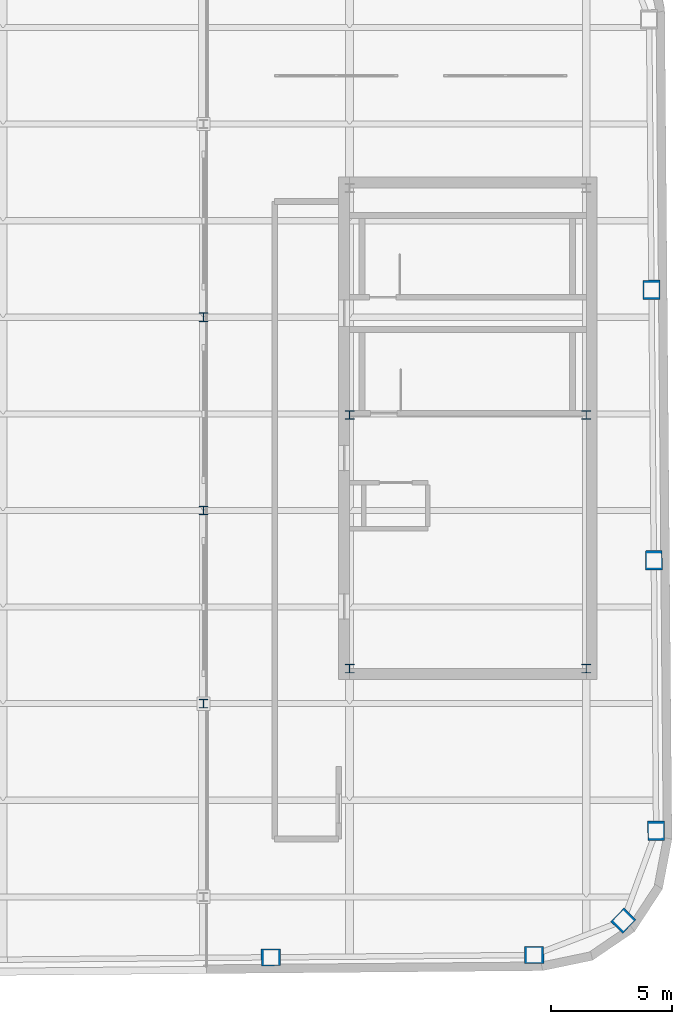
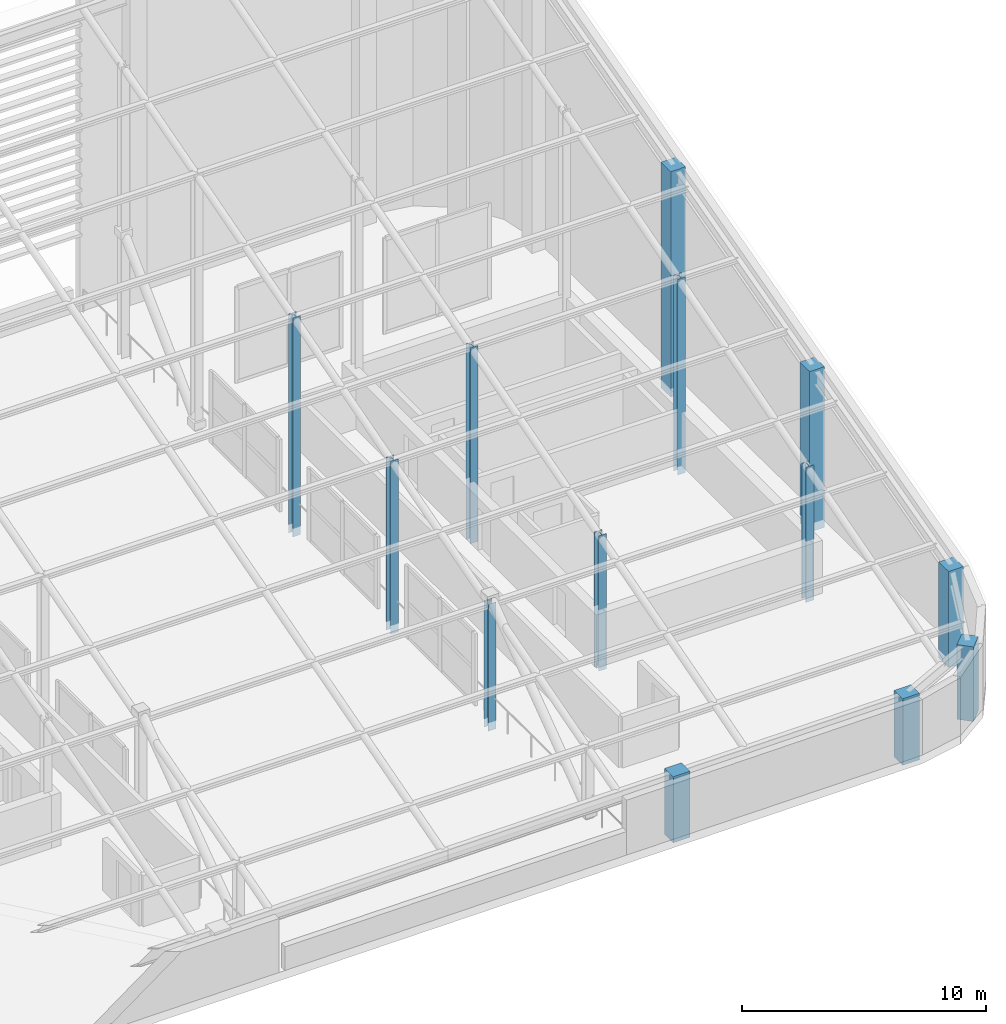
# One storey, part 2 of 17: 13 columns.
"""IFC4 building model written with IfcOpenShell, lengths in metres."""

from ifc_helpers import new_model, si_unit, direction, frame, origin, origin_2d, place, context, subcontext, project, spatial, rectangle, i_section, extrude, material, material_profile, profile_set, type_object, element, save


model = new_model("IFC4")

# Units and contexts
model_context = context("Model", 3, precision=1e-05, world=origin(), true_north=direction((0.0, 1.0)))
body_context = subcontext(model_context, "Body", "Model", "MODEL_VIEW")
ifc_project = project(units=[si_unit("LENGTHUNIT", "METRE"), si_unit("AREAUNIT", "SQUARE_METRE"), si_unit("VOLUMEUNIT", "CUBIC_METRE"), si_unit("PLANEANGLEUNIT", "RADIAN"), si_unit("MASSUNIT", "GRAM", prefix="KILO")], contexts=[model_context])

# Site, building, storey
site_placement = place(None, origin())
site = spatial("IfcSite", under=ifc_project, at=site_placement, CompositionType="ELEMENT")
building_placement = place(site_placement, origin())
building = spatial("IfcBuilding", under=site, at=building_placement, Name="Kolvaren Arena Tower", CompositionType="ELEMENT")
storey_placement = place(building_placement, frame((0.0, 0.0, 322.0)))
storey = spatial("IfcBuildingStorey", under=building, at=storey_placement, Name="Roof Crown", CompositionType="ELEMENT", Elevation=322.0)

# Columns
ifc_material_1 = material(Name="Precast concrete C50/60", Category="concrete")
ifc_material_profile_1 = material_profile(ifc_material_1, rectangle(XDim=0.800048828125, YDim=0.699951171875, at=origin_2d()), Name="RC-800x700")
ifc_profile_set_1 = profile_set([ifc_material_profile_1], Name="Precast concrete C50/60")
column_type_1 = type_object("IfcColumnType", Name="EXCOL-Z5", PredefinedType="COLUMN", material=ifc_profile_set_1)
column_1_placement = place(storey_placement, frame((47.290771484375, 7.49609375, -0.419921875), z_axis=(0.0, 0.0, 1.0), x_axis=(0.999961923064, 0.008726535498, 0.0)))
element("IfcColumn", 1, at=column_1_placement, inside=storey, type_object=column_type_1, Name="Exoskeleton Perimeter Column 04 (Roof Crown)", PredefinedType="COLUMN", context=body_context, shape_type="SweptSolid", body=[
    extrude(rectangle(XDim=0.800048828125, YDim=0.699951171875, at=origin_2d()), origin(), (0.0, 0.0, 1.0), 3.294921875),
])
column_2_placement = place(storey_placement, frame((58.190185546875, 7.591064453125, -0.419921875), z_axis=(0.0, 0.0, 1.0), x_axis=(0.999961923064, 0.008726535498, 0.0)))
element("IfcColumn", 2, at=column_2_placement, inside=storey, type_object=column_type_1, Name="Exoskeleton Perimeter Column 05 (Roof Crown)", PredefinedType="COLUMN", context=body_context, shape_type="SweptSolid", body=[
    extrude(rectangle(XDim=0.800048828125, YDim=0.699951171875, at=origin_2d()), origin(), (0.0, 0.0, 1.0), 3.322265625),
])
column_3_placement = place(storey_placement, frame((61.88671875, 9.0146484375, -0.419921875), z_axis=(0.0, 0.0, 1.0), x_axis=(0.7009092643, 0.713250449154, 0.0)))
element("IfcColumn", 3, at=column_3_placement, inside=storey, type_object=column_type_1, Name="Exoskeleton Perimeter Column 06 (Roof Crown)", PredefinedType="COLUMN", context=body_context, shape_type="SweptSolid", body=[
    extrude(rectangle(XDim=0.800048828125, YDim=0.699951171875, at=origin_2d()), origin(), (0.0, 0.0, 1.0), 3.732666015625),
])
column_4_placement = place(storey_placement, frame((63.24560546875, 12.7353515625, -0.419921875), z_axis=(0.0, 0.0, 1.0), x_axis=(-0.008726535498, 0.999961923064, 0.0)))
element("IfcColumn", 4, at=column_4_placement, inside=storey, type_object=column_type_1, Name="Exoskeleton Perimeter Column 07 (Roof Crown)", PredefinedType="COLUMN", context=body_context, shape_type="SweptSolid", body=[
    extrude(rectangle(XDim=0.800048828125, YDim=0.699951171875, at=origin_2d()), origin(), (0.0, 0.0, 1.0), 4.80517578125),
])
column_5_placement = place(storey_placement, frame((63.147705078125, 23.93505859375, -0.419921875), z_axis=(0.0, 0.0, 1.0), x_axis=(-0.008726535498, 0.999961923064, 0.0)))
element("IfcColumn", 5, at=column_5_placement, inside=storey, type_object=column_type_1, Name="Exoskeleton Perimeter Column 08 (Roof Crown)", PredefinedType="COLUMN", context=body_context, shape_type="SweptSolid", body=[
    extrude(rectangle(XDim=0.800048828125, YDim=0.699951171875, at=origin_2d()), origin(), (0.0, 0.0, 1.0), 8.033447265625),
])
column_6_placement = place(storey_placement, frame((63.050048828125, 35.134521484375, -0.419921875), z_axis=(0.0, 0.0, 1.0), x_axis=(-0.008726535498, 0.999961923064, 0.0)))
element("IfcColumn", 6, at=column_6_placement, inside=storey, type_object=column_type_1, Name="Exoskeleton Perimeter Column 09 (Roof Crown)", PredefinedType="COLUMN", context=body_context, shape_type="SweptSolid", body=[
    extrude(rectangle(XDim=0.800048828125, YDim=0.699951171875, at=origin_2d()), origin(), (0.0, 0.0, 1.0), 11.26171875),
])
ifc_material_2 = material(Name="Steel ASTM A913 Grade 65", Category="steel")
ifc_material_profile_2 = material_profile(ifc_material_2, i_section(OverallWidth=0.368896484375, OverallDepth=0.35595703125, WebThickness=0.01123046875, FlangeThickness=0.01806640625, FilletRadius=0.01806640625, at=origin_2d()), Name="W360x134")
ifc_profile_set_2 = profile_set([ifc_material_profile_2], Name="Steel ASTM A913 Grade 65")
column_type_2 = type_object("IfcColumnType", Name="SCOL-CR", PredefinedType="COLUMN", material=ifc_profile_set_2)
for number, where, z_axis, x_axis, name in (
    (7, (50.550048828125, 19.449951171875, -0.419921875), (0.0, 0.0, 1.0), (1.0, 0.0, 0.0), "Core Boundary Column EC-SW (Roof Crown)"),
    (8, (60.35009765625, 19.449951171875, -0.419921875), (0.0, 0.0, 1.0), (1.0, 0.0, 0.0), "Core Boundary Column EC-SE (Roof Crown)"),
):
    element("IfcColumn", number, at=place(storey_placement, frame(where, z_axis=z_axis, x_axis=x_axis)), inside=storey, type_object=column_type_2, Name=name, PredefinedType="COLUMN", context=body_context, shape_type="SweptSolid", body=[
        extrude(i_section(OverallWidth=0.368896484375, OverallDepth=0.35595703125, WebThickness=0.01123046875, FlangeThickness=0.01806640625, FilletRadius=0.01806640625, at=origin_2d()), origin(), (0.0, 0.0, 1.0), 6.750732421875),
    ])
for number, where, z_axis, x_axis, name in (
    (9, (50.550048828125, 29.949951171875, -0.419921875), (0.0, 0.0, 1.0), (1.0, 0.0, 0.0), "Core Boundary Column EC-MW (Roof Crown)"),
    (10, (60.35009765625, 29.949951171875, -0.419921875), (0.0, 0.0, 1.0), (1.0, 0.0, 0.0), "Core Boundary Column EC-ME (Roof Crown)"),
):
    element("IfcColumn", number, at=place(storey_placement, frame(where, z_axis=z_axis, x_axis=x_axis)), inside=storey, type_object=column_type_2, Name=name, PredefinedType="COLUMN", context=body_context, shape_type="SweptSolid", body=[
        extrude(i_section(OverallWidth=0.368896484375, OverallDepth=0.35595703125, WebThickness=0.01123046875, FlangeThickness=0.01806640625, FilletRadius=0.01806640625, at=origin_2d()), origin(), (0.0, 0.0, 1.0), 9.77734375),
    ])
column_7_placement = place(storey_placement, frame((44.5, 18.0, -0.419921875), z_axis=(0.0, 0.0, 1.0), x_axis=(1.0, 0.0, 0.0)))
element("IfcColumn", 11, at=column_7_placement, inside=storey, type_object=column_type_2, Name="Wind-Portal Throat Column (East 2)", PredefinedType="COLUMN", context=body_context, shape_type="SweptSolid", body=[
    extrude(i_section(OverallWidth=0.368896484375, OverallDepth=0.35595703125, WebThickness=0.01123046875, FlangeThickness=0.01806640625, FilletRadius=0.01806640625, at=origin_2d()), origin(), (0.0, 0.0, 1.0), 6.32275390625),
])
column_8_placement = place(storey_placement, frame((44.5, 26.0, -0.419921875), z_axis=(0.0, 0.0, 1.0), x_axis=(1.0, 0.0, 0.0)))
element("IfcColumn", 12, at=column_8_placement, inside=storey, type_object=column_type_2, Name="Wind-Portal Throat Column (East 3)", PredefinedType="COLUMN", context=body_context, shape_type="SweptSolid", body=[
    extrude(i_section(OverallWidth=0.368896484375, OverallDepth=0.35595703125, WebThickness=0.01123046875, FlangeThickness=0.01806640625, FilletRadius=0.01806640625, at=origin_2d()), origin(), (0.0, 0.0, 1.0), 8.628662109375),
])
column_9_placement = place(storey_placement, frame((44.5, 34.0, -0.419921875), z_axis=(0.0, 0.0, 1.0), x_axis=(1.0, 0.0, 0.0)))
element("IfcColumn", 13, at=column_9_placement, inside=storey, type_object=column_type_2, Name="Wind-Portal Throat Column (East 4)", PredefinedType="COLUMN", context=body_context, shape_type="SweptSolid", body=[
    extrude(i_section(OverallWidth=0.368896484375, OverallDepth=0.35595703125, WebThickness=0.01123046875, FlangeThickness=0.01806640625, FilletRadius=0.01806640625, at=origin_2d()), origin(), (0.0, 0.0, 1.0), 10.934814453125),
])

save(model, "model.ifc")
